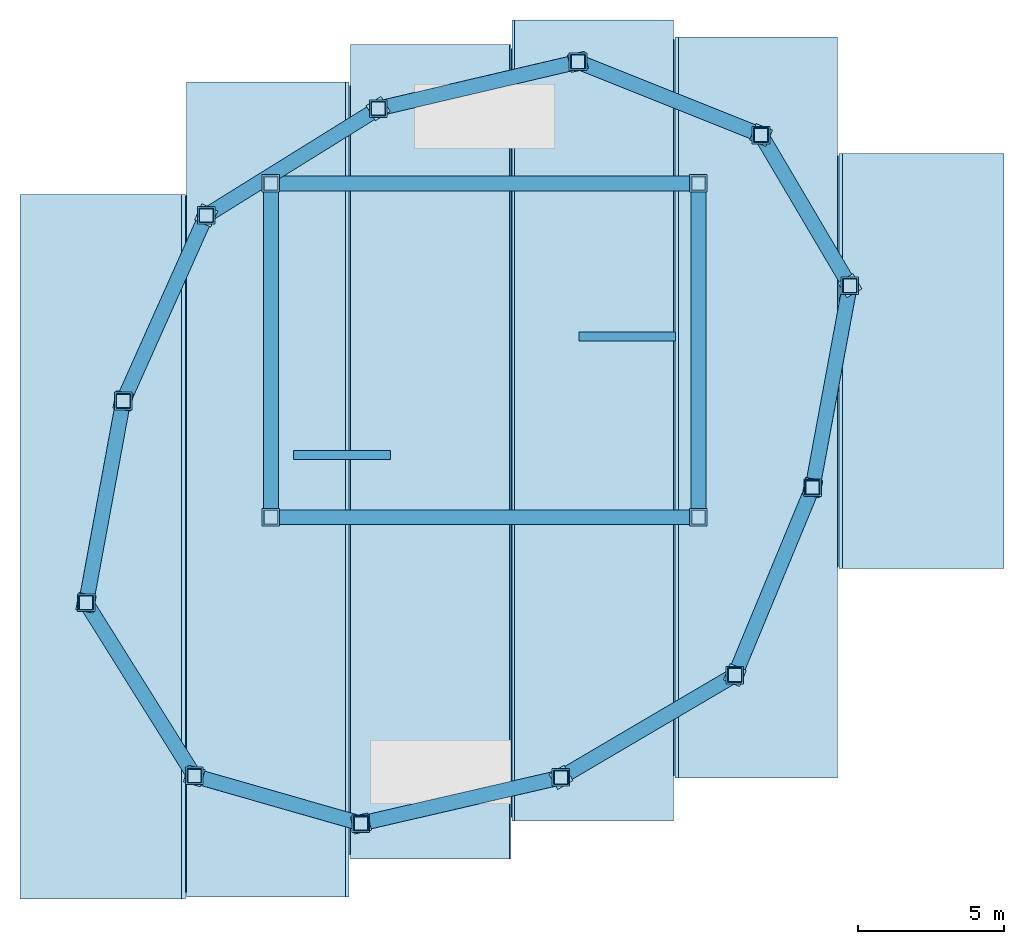
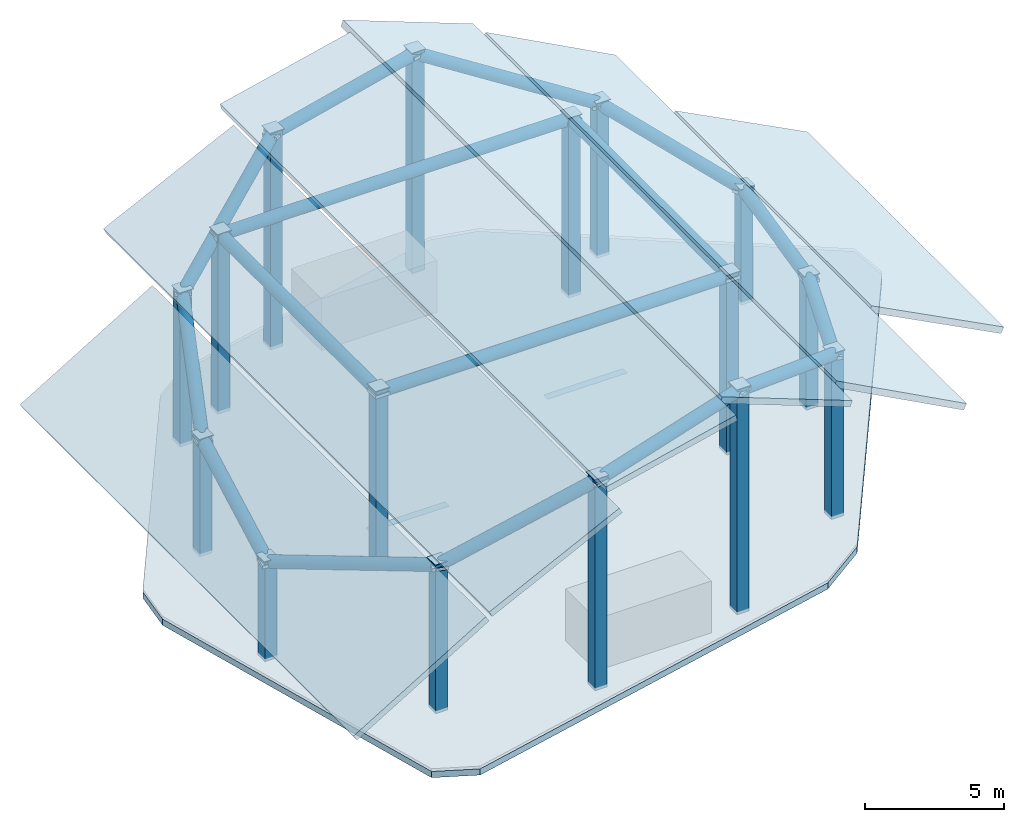
# One storey, part 1 of 3: 32 plates, 16 columns, 16 members, 7 slabs, 2 beams.
"""IFC4 building model written with IfcOpenShell, lengths in metres."""

from ifc_helpers import new_model, si_unit, direction, frame, origin, origin_2d, place, context, subcontext, project, spatial, polyline, rectangle, hollow_rectangle, hollow_circle, outline, extrude, source, transform, mapped, material, layer, layer_set, material_profile, profile_set, type_object, type_shapes, element, save


model = new_model("IFC4")

# Units and contexts
model_context = context("Model", 3, precision=1e-05, world=origin(), true_north=direction((0.0, 1.0)))
body_context = subcontext(model_context, "Body", "Model", "MODEL_VIEW")
ifc_project = project(units=[si_unit("LENGTHUNIT", "METRE"), si_unit("AREAUNIT", "SQUARE_METRE"), si_unit("VOLUMEUNIT", "CUBIC_METRE"), si_unit("PLANEANGLEUNIT", "RADIAN"), si_unit("MASSUNIT", "GRAM", prefix="KILO")], contexts=[model_context])

# Site, building, storey
site_placement = place(None, origin())
site = spatial("IfcSite", under=ifc_project, at=site_placement, CompositionType="ELEMENT")
building_placement = place(site_placement, origin())
building = spatial("IfcBuilding", under=site, at=building_placement, Name="Talar Marvaseh", CompositionType="ELEMENT")
storey_placement = place(building_placement, frame((0.0, 0.0, 316.0)))
storey = spatial("IfcBuildingStorey", under=building, at=storey_placement, Name="RF", CompositionType="ELEMENT", Elevation=316.0)

# Columns
ifc_material_1 = material(Name="Steel S460", Category="steel")
ifc_material_profile_1 = material_profile(ifc_material_1, hollow_rectangle(XDim=0.5, YDim=0.5, WallThickness=0.02490234375, at=origin_2d()), Name="BOX500x500x25")
ifc_profile_set_1 = profile_set([ifc_material_profile_1], Name="Steel S460")
column_type = type_object("IfcColumnType", Name="Crown Frame Structural Column BOX500x500x25", PredefinedType="COLUMN", material=ifc_profile_set_1)
column_1_placement = place(storey_placement, frame((12.388916015625, 22.576904296875, 0.0), z_axis=(0.0, 0.0, 1.0), x_axis=(1.0, 0.0, 0.0)))
element("IfcColumn", 1, at=column_1_placement, inside=storey, type_object=column_type, Name="RF Crown Frame Crest Post", PredefinedType="COLUMN", context=body_context, shape_type="SweptSolid", body=[
    extrude(hollow_rectangle(XDim=0.5, YDim=0.5, WallThickness=0.02490234375, at=origin_2d()), origin(), (0.0, 0.0, 1.0), 4.428955078125),
])
column_2_placement = place(storey_placement, frame((13.657958984375, 29.469970703125, 0.0), z_axis=(0.0, 0.0, 1.0), x_axis=(1.0, 0.0, 0.0)))
element("IfcColumn", 2, at=column_2_placement, inside=storey, type_object=column_type, Name="RF Crown Frame Crest Post", PredefinedType="COLUMN", context=body_context, shape_type="SweptSolid", body=[
    extrude(hollow_rectangle(XDim=0.5, YDim=0.5, WallThickness=0.02490234375, at=origin_2d()), origin(), (0.0, 0.0, 1.0), 5.193115234375),
])
column_3_placement = place(storey_placement, frame((16.493896484375, 35.806884765625, 0.0), z_axis=(0.0, 0.0, 1.0), x_axis=(1.0, 0.0, 0.0)))
element("IfcColumn", 3, at=column_3_placement, inside=storey, type_object=column_type, Name="RF Crown Frame Crest Post", PredefinedType="COLUMN", context=body_context, shape_type="SweptSolid", body=[
    extrude(hollow_rectangle(XDim=0.5, YDim=0.5, WallThickness=0.02490234375, at=origin_2d()), origin(), (0.0, 0.0, 1.0), 6.799072265625),
])
column_4_placement = place(storey_placement, frame((22.364990234375, 39.4541015625, 0.0), z_axis=(0.0, 0.0, 1.0), x_axis=(1.0, 0.0, 0.0)))
element("IfcColumn", 4, at=column_4_placement, inside=storey, type_object=column_type, Name="RF Crown Frame Crest Post", PredefinedType="COLUMN", context=body_context, shape_type="SweptSolid", body=[
    extrude(hollow_rectangle(XDim=0.5, YDim=0.5, WallThickness=0.02490234375, at=origin_2d()), origin(), (0.0, 0.0, 1.0), 9.56201171875),
])
column_5_placement = place(storey_placement, frame((29.18798828125, 41.052001953125, 0.0), z_axis=(0.0, 0.0, 1.0), x_axis=(1.0, 0.0, 0.0)))
element("IfcColumn", 5, at=column_5_placement, inside=storey, type_object=column_type, Name="RF Crown Frame Crest Post", PredefinedType="COLUMN", context=body_context, shape_type="SweptSolid", body=[
    extrude(hollow_rectangle(XDim=0.5, YDim=0.5, WallThickness=0.02490234375, at=origin_2d()), origin(), (0.0, 0.0, 1.0), 9.72998046875),
])
column_6_placement = place(storey_placement, frame((35.43798828125, 38.551025390625, 0.0), z_axis=(0.0, 0.0, 1.0), x_axis=(1.0, 0.0, 0.0)))
element("IfcColumn", 6, at=column_6_placement, inside=storey, type_object=column_type, Name="RF Crown Frame Crest Post", PredefinedType="COLUMN", context=body_context, shape_type="SweptSolid", body=[
    extrude(hollow_rectangle(XDim=0.5, YDim=0.5, WallThickness=0.02490234375, at=origin_2d()), origin(), (0.0, 0.0, 1.0), 6.8359375),
])
column_7_placement = place(storey_placement, frame((38.470947265625, 33.406005859375, 0.0), z_axis=(0.0, 0.0, 1.0), x_axis=(1.0, 0.0, 0.0)))
element("IfcColumn", 7, at=column_7_placement, inside=storey, type_object=column_type, Name="RF Crown Frame Crest Post", PredefinedType="COLUMN", context=body_context, shape_type="SweptSolid", body=[
    extrude(hollow_rectangle(XDim=0.5, YDim=0.5, WallThickness=0.02490234375, at=origin_2d()), origin(), (0.0, 0.0, 1.0), 5.115966796875),
])
column_8_placement = place(storey_placement, frame((37.197021484375, 26.513916015625, 0.0), z_axis=(0.0, 0.0, 1.0), x_axis=(1.0, 0.0, 0.0)))
element("IfcColumn", 8, at=column_8_placement, inside=storey, type_object=column_type, Name="RF Crown Frame Crest Post", PredefinedType="COLUMN", context=body_context, shape_type="SweptSolid", body=[
    extrude(hollow_rectangle(XDim=0.5, YDim=0.5, WallThickness=0.02490234375, at=origin_2d()), origin(), (0.0, 0.0, 1.0), 5.85888671875),
])
column_9_placement = place(storey_placement, frame((34.5439453125, 20.111083984375, 0.0), z_axis=(0.0, 0.0, 1.0), x_axis=(1.0, 0.0, 0.0)))
element("IfcColumn", 9, at=column_9_placement, inside=storey, type_object=column_type, Name="RF Crown Frame Crest Post", PredefinedType="COLUMN", context=body_context, shape_type="SweptSolid", body=[
    extrude(hollow_rectangle(XDim=0.5, YDim=0.5, WallThickness=0.02490234375, at=origin_2d()), origin(), (0.0, 0.0, 1.0), 7.30908203125),
])
column_10_placement = place(storey_placement, frame((28.60498046875, 16.616943359375, 0.0), z_axis=(0.0, 0.0, 1.0), x_axis=(1.0, 0.0, 0.0)))
element("IfcColumn", 10, at=column_10_placement, inside=storey, type_object=column_type, Name="RF Crown Frame Crest Post", PredefinedType="COLUMN", context=body_context, shape_type="SweptSolid", body=[
    extrude(hollow_rectangle(XDim=0.5, YDim=0.5, WallThickness=0.02490234375, at=origin_2d()), origin(), (0.0, 0.0, 1.0), 9.93798828125),
])
column_11_placement = place(storey_placement, frame((21.77587890625, 15.0400390625, 0.0), z_axis=(0.0, 0.0, 1.0), x_axis=(1.0, 0.0, 0.0)))
element("IfcColumn", 11, at=column_11_placement, inside=storey, type_object=column_type, Name="RF Crown Frame Crest Post", PredefinedType="COLUMN", context=body_context, shape_type="SweptSolid", body=[
    extrude(hollow_rectangle(XDim=0.5, YDim=0.5, WallThickness=0.02490234375, at=origin_2d()), origin(), (0.0, 0.0, 1.0), 9.327880859375),
])
column_12_placement = place(storey_placement, frame((16.0869140625, 16.66796875, 0.0), z_axis=(0.0, 0.0, 1.0), x_axis=(1.0, 0.0, 0.0)))
element("IfcColumn", 12, at=column_12_placement, inside=storey, type_object=column_type, Name="RF Crown Frame Crest Post", PredefinedType="COLUMN", context=body_context, shape_type="SweptSolid", body=[
    extrude(hollow_rectangle(XDim=0.5, YDim=0.5, WallThickness=0.02490234375, at=origin_2d()), origin(), (0.0, 0.0, 1.0), 6.577880859375),
])
for number, where, z_axis, x_axis, name in (
    (13, (18.699951171875, 25.5, 0.0), (0.0, 0.0, 1.0), (1.0, 0.0, 0.0), "RF Crown Frame Crest Post"),
    (14, (33.300048828125, 25.5, 0.0), (0.0, 0.0, 1.0), (1.0, 0.0, 0.0), "RF Crown Frame Crest Post"),
    (15, (33.300048828125, 36.89990234375, 0.0), (0.0, 0.0, 1.0), (1.0, 0.0, 0.0), "RF Crown Frame Crest Post"),
    (16, (18.699951171875, 36.89990234375, 0.0), (0.0, 0.0, 1.0), (1.0, 0.0, 0.0), "RF Crown Frame Crest Post"),
):
    element("IfcColumn", number, at=place(storey_placement, frame(where, z_axis=z_axis, x_axis=x_axis)), inside=storey, type_object=column_type, Name=name, PredefinedType="COLUMN", context=body_context, shape_type="SweptSolid", body=[
        extrude(hollow_rectangle(XDim=0.5, YDim=0.5, WallThickness=0.02490234375, at=origin_2d()), origin(), (0.0, 0.0, 1.0), 7.93896484375),
    ])

# Beams
ifc_material_2 = material(Name="Concrete C40/50", Category="concrete")
ifc_material_profile_2 = material_profile(ifc_material_2, rectangle(XDim=0.300048828125, YDim=0.360107421875, at=origin_2d()), Name="RC300x360")
ifc_profile_set_2 = profile_set([ifc_material_profile_2], Name="Concrete C40/50")
beam_type = type_object("IfcBeamType", Name="Concrete Stair Landing Trimmer Beam RC300x360", PredefinedType="SPANDREL", material=ifc_profile_set_2)
for number, where, z_axis, x_axis, name in (
    (17, (22.780029296875, 27.6298828125, -0.179931640625), (-1.0, 0.0, 0.0), (0.0, -1.0, 0.0), "RF ST-1 Stair Nosing Trimmer Beam"),
    (18, (29.219970703125, 31.669921875, -0.179931640625), (1.0, 0.0, 0.0), (0.0, 1.0, 0.0), "RF ST-2 Stair Nosing Trimmer Beam"),
):
    element("IfcBeam", number, at=place(storey_placement, frame(where, z_axis=z_axis, x_axis=x_axis)), inside=storey, type_object=beam_type, Name=name, PredefinedType="SPANDREL", context=body_context, shape_type="SweptSolid", body=[
        extrude(rectangle(XDim=0.300048828125, YDim=0.360107421875, at=origin_2d()), origin(), (0.0, 0.0, 1.0), 3.300048828125),
    ])

# Members
ifc_material_profile_3 = material_profile(ifc_material_1, hollow_circle(Radius=0.25390625, WallThickness=0.02001953125, at=origin_2d()), Name="CHS508x20")
ifc_profile_set_3 = profile_set([ifc_material_profile_3], Name="Steel S460")
member_type = type_object("IfcMemberType", Name="Crown Frame Diagonal Brace CHS508x20", PredefinedType="BRACE", material=ifc_profile_set_3)
shared_shape_1 = source(origin(), body_context, "Body", "SweptSolid", [
    extrude(hollow_circle(Radius=0.25390625, WallThickness=0.02001953125, at=origin_2d()), origin(), (0.0, 0.0, 1.0), 7.050537109375),
])
member_1_placement = place(storey_placement, frame((12.388916015625, 22.576904296875, 4.1689453125), z_axis=(0.179994732431, 0.977678198435, 0.108384669586), x_axis=(-0.983471801377, 0.18106135948, 0.0)))
element("IfcMember", 19, at=member_1_placement, inside=storey, type_object=member_type, Name="RF Crown Frame Crest Ring Chord 1", PredefinedType="BRACE", context=body_context, shape_type="MappedRepresentation", body=[
    mapped(shared_shape_1, transform((0.0, 0.0, 0.0), x_axis=(1.0, 0.0, 0.0), y_axis=(0.0, 1.0, 0.0), z_axis=(0.0, 0.0, 1.0), scale=1.0)),
])
shared_shape_2 = source(origin(), body_context, "Body", "SweptSolid", [
    extrude(hollow_circle(Radius=0.25390625, WallThickness=0.02001953125, at=origin_2d()), origin(), (0.0, 0.0, 1.0), 7.1259765625),
])
member_2_placement = place(storey_placement, frame((13.657958984375, 29.469970703125, 4.93310546875), z_axis=(0.397977344142, 0.889282020019, 0.22536974602), x_axis=(-0.912764429892, 0.408486346803, 0.0)))
element("IfcMember", 20, at=member_2_placement, inside=storey, type_object=member_type, Name="RF Crown Frame Crest Ring Chord 2", PredefinedType="BRACE", context=body_context, shape_type="MappedRepresentation", body=[
    mapped(shared_shape_2, transform((0.0, 0.0, 0.0), x_axis=(1.0, 0.0, 0.0), y_axis=(0.0, 1.0, 0.0), z_axis=(0.0, 0.0, 1.0), scale=1.0)),
])
shared_shape_3 = source(origin(), body_context, "Body", "SweptSolid", [
    extrude(hollow_circle(Radius=0.25390625, WallThickness=0.02001953125, at=origin_2d()), origin(), (0.0, 0.0, 1.0), 7.443603515625),
])
member_3_placement = place(storey_placement, frame((16.493896484375, 35.806884765625, 6.5390625), z_axis=(0.788753920924, 0.489986478073, 0.371187962537), x_axis=(-0.527685518407, 0.849439811678, 0.0)))
element("IfcMember", 21, at=member_3_placement, inside=storey, type_object=member_type, Name="RF Crown Frame Crest Ring Chord 3", PredefinedType="BRACE", context=body_context, shape_type="MappedRepresentation", body=[
    mapped(shared_shape_3, transform((0.0, 0.0, 0.0), x_axis=(1.0, 0.0, 0.0), y_axis=(0.0, 1.0, 0.0), z_axis=(0.0, 0.0, 1.0), scale=1.0)),
])
shared_shape_4 = source(origin(), body_context, "Body", "SweptSolid", [
    extrude(hollow_circle(Radius=0.25390625, WallThickness=0.02001953125, at=origin_2d()), origin(), (0.0, 0.0, 1.0), 7.009521484375),
])
member_4_placement = place(storey_placement, frame((22.364990234375, 39.4541015625, 9.302001953125), z_axis=(0.97337602266, 0.227958137486, 0.023962597187), x_axis=(-0.228023613157, 0.973655602276, 0.0)))
element("IfcMember", 22, at=member_4_placement, inside=storey, type_object=member_type, Name="RF Crown Frame Crest Ring Chord 4", PredefinedType="BRACE", context=body_context, shape_type="MappedRepresentation", body=[
    mapped(shared_shape_4, transform((0.0, 0.0, 0.0), x_axis=(1.0, 0.0, 0.0), y_axis=(0.0, 1.0, 0.0), z_axis=(0.0, 0.0, 1.0), scale=1.0)),
])
shared_shape_5 = source(origin(), body_context, "Body", "SweptSolid", [
    extrude(hollow_circle(Radius=0.25390625, WallThickness=0.02001953125, at=origin_2d()), origin(), (0.0, 0.0, 1.0), 7.32763671875),
])
member_5_placement = place(storey_placement, frame((29.18798828125, 41.052001953125, 9.469970703125), z_axis=(0.852946348382, -0.34131181222, -0.394954141161), x_axis=(0.371515730456, 0.928426659475, 0.0)))
element("IfcMember", 23, at=member_5_placement, inside=storey, type_object=member_type, Name="RF Crown Frame Crest Ring Chord 5", PredefinedType="BRACE", context=body_context, shape_type="MappedRepresentation", body=[
    mapped(shared_shape_5, transform((0.0, 0.0, 0.0), x_axis=(1.0, 0.0, 0.0), y_axis=(0.0, 1.0, 0.0), z_axis=(0.0, 0.0, 1.0), scale=1.0)),
])
shared_shape_6 = source(origin(), body_context, "Body", "SweptSolid", [
    extrude(hollow_circle(Radius=0.25390625, WallThickness=0.02001953125, at=origin_2d()), origin(), (0.0, 0.0, 1.0), 6.215087890625),
])
member_6_placement = place(storey_placement, frame((35.43798828125, 38.551025390625, 6.575927734375), z_axis=(0.487992752227, -0.827816087937, -0.276737417648), x_axis=(0.861459907696, 0.507825587611, 0.0)))
element("IfcMember", 24, at=member_6_placement, inside=storey, type_object=member_type, Name="RF Crown Frame Crest Ring Chord 6", PredefinedType="BRACE", context=body_context, shape_type="MappedRepresentation", body=[
    mapped(shared_shape_6, transform((0.0, 0.0, 0.0), x_axis=(1.0, 0.0, 0.0), y_axis=(0.0, 1.0, 0.0), z_axis=(0.0, 0.0, 1.0), scale=1.0)),
])
shared_shape_7 = source(origin(), body_context, "Body", "SweptSolid", [
    extrude(hollow_circle(Radius=0.25390625, WallThickness=0.02001953125, at=origin_2d()), origin(), (0.0, 0.0, 1.0), 7.048095703125),
])
member_7_placement = place(storey_placement, frame((38.470947265625, 33.406005859375, 4.85595703125), z_axis=(-0.180746734, -0.97786130717, 0.105441368014), x_axis=(0.983342931148, -0.181759950929, 0.0)))
element("IfcMember", 25, at=member_7_placement, inside=storey, type_object=member_type, Name="RF Crown Frame Crest Ring Chord 7", PredefinedType="BRACE", context=body_context, shape_type="MappedRepresentation", body=[
    mapped(shared_shape_7, transform((0.0, 0.0, 0.0), x_axis=(1.0, 0.0, 0.0), y_axis=(0.0, 1.0, 0.0), z_axis=(0.0, 0.0, 1.0), scale=1.0)),
])
shared_shape_8 = source(origin(), body_context, "Body", "SweptSolid", [
    extrude(hollow_circle(Radius=0.25390625, WallThickness=0.02001953125, at=origin_2d()), origin(), (0.0, 0.0, 1.0), 7.080810546875),
])
member_8_placement = place(storey_placement, frame((37.197021484375, 26.513916015625, 5.59912109375), z_axis=(-0.374687052876, -0.904255327941, 0.204772835836), x_axis=(0.923831762048, -0.382798740112, 0.0)))
element("IfcMember", 26, at=member_8_placement, inside=storey, type_object=member_type, Name="RF Crown Frame Crest Ring Chord 8", PredefinedType="BRACE", context=body_context, shape_type="MappedRepresentation", body=[
    mapped(shared_shape_8, transform((0.0, 0.0, 0.0), x_axis=(1.0, 0.0, 0.0), y_axis=(0.0, 1.0, 0.0), z_axis=(0.0, 0.0, 1.0), scale=1.0)),
])
shared_shape_9 = source(origin(), body_context, "Body", "SweptSolid", [
    extrude(hollow_circle(Radius=0.25390625, WallThickness=0.02001953125, at=origin_2d()), origin(), (0.0, 0.0, 1.0), 7.375),
])
member_9_placement = place(storey_placement, frame((34.5439453125, 20.111083984375, 7.049072265625), z_axis=(-0.805277111935, -0.473778098578, 0.35645909485), x_axis=(0.507088254482, -0.861894136287, 0.0)))
element("IfcMember", 27, at=member_9_placement, inside=storey, type_object=member_type, Name="RF Crown Frame Crest Ring Chord 9", PredefinedType="BRACE", context=body_context, shape_type="MappedRepresentation", body=[
    mapped(shared_shape_9, transform((0.0, 0.0, 0.0), x_axis=(1.0, 0.0, 0.0), y_axis=(0.0, 1.0, 0.0), z_axis=(0.0, 0.0, 1.0), scale=1.0)),
])
shared_shape_10 = source(origin(), body_context, "Body", "SweptSolid", [
    extrude(hollow_circle(Radius=0.25390625, WallThickness=0.02001953125, at=origin_2d()), origin(), (0.0, 0.0, 1.0), 7.035400390625),
])
member_10_placement = place(storey_placement, frame((28.60498046875, 16.616943359375, 9.677978515625), z_axis=(-0.970693407617, -0.224142310875, -0.086686405414), x_axis=(0.22498924952, -0.974361245946, 0.0)))
element("IfcMember", 28, at=member_10_placement, inside=storey, type_object=member_type, Name="RF Crown Frame Crest Ring Chord 10", PredefinedType="BRACE", context=body_context, shape_type="MappedRepresentation", body=[
    mapped(shared_shape_10, transform((0.0, 0.0, 0.0), x_axis=(1.0, 0.0, 0.0), y_axis=(0.0, 1.0, 0.0), z_axis=(0.0, 0.0, 1.0), scale=1.0)),
])
shared_shape_11 = source(origin(), body_context, "Body", "SweptSolid", [
    extrude(hollow_circle(Radius=0.25390625, WallThickness=0.02001953125, at=origin_2d()), origin(), (0.0, 0.0, 1.0), 6.525146484375),
])
member_11_placement = place(storey_placement, frame((21.77587890625, 15.0400390625, 9.068115234375), z_axis=(-0.871858173389, 0.249487181365, -0.421449251783), x_axis=(-0.275113452538, -0.961411768303, 0.0)))
element("IfcMember", 29, at=member_11_placement, inside=storey, type_object=member_type, Name="RF Crown Frame Crest Ring Chord 11", PredefinedType="BRACE", context=body_context, shape_type="MappedRepresentation", body=[
    mapped(shared_shape_11, transform((0.0, 0.0, 0.0), x_axis=(1.0, 0.0, 0.0), y_axis=(0.0, 1.0, 0.0), z_axis=(0.0, 0.0, 1.0), scale=1.0)),
])
shared_shape_12 = source(origin(), body_context, "Body", "SweptSolid", [
    extrude(hollow_circle(Radius=0.25390625, WallThickness=0.02001953125, at=origin_2d()), origin(), (0.0, 0.0, 1.0), 7.29443359375),
])
member_12_placement = place(storey_placement, frame((16.0869140625, 16.66796875, 6.318115234375), z_axis=(-0.506957457794, 0.810054225325, -0.294629068526), x_axis=(-0.847681364098, -0.530505706813, 0.0)))
element("IfcMember", 30, at=member_12_placement, inside=storey, type_object=member_type, Name="RF Crown Frame Crest Ring Chord 12", PredefinedType="BRACE", context=body_context, shape_type="MappedRepresentation", body=[
    mapped(shared_shape_12, transform((0.0, 0.0, 0.0), x_axis=(1.0, 0.0, 0.0), y_axis=(0.0, 1.0, 0.0), z_axis=(0.0, 0.0, 1.0), scale=1.0)),
])
shared_shape_13 = source(origin(), body_context, "Body", "SweptSolid", [
    extrude(hollow_circle(Radius=0.25390625, WallThickness=0.02001953125, at=origin_2d()), origin(), (0.0, 0.0, 1.0), 14.60009765625),
])
for number, where, z_axis, x_axis, name in (
    (31, (18.699951171875, 25.5, 7.678955078125), (1.0, 0.0, 0.0), (0.0, 1.0, 0.0), "RF Crown Frame Ridge Arch Member"),
    (32, (18.699951171875, 36.89990234375, 7.678955078125), (1.0, 0.0, 0.0), (0.0, 1.0, 0.0), "RF Crown Frame Ridge Arch Member"),
):
    element("IfcMember", number, at=place(storey_placement, frame(where, z_axis=z_axis, x_axis=x_axis)), inside=storey, type_object=member_type, Name=name, PredefinedType="BRACE", context=body_context, shape_type="MappedRepresentation", body=[
        mapped(shared_shape_13, transform((0.0, 0.0, 0.0), x_axis=(1.0, 0.0, 0.0), y_axis=(0.0, 1.0, 0.0), z_axis=(0.0, 0.0, 1.0), scale=1.0)),
    ])
shared_shape_14 = source(origin(), body_context, "Body", "SweptSolid", [
    extrude(hollow_circle(Radius=0.25390625, WallThickness=0.02001953125, at=origin_2d()), origin(), (0.0, 0.0, 1.0), 11.39990234375),
])
type_shapes(member_type, [shared_shape_1, shared_shape_2, shared_shape_3, shared_shape_4, shared_shape_5, shared_shape_6, shared_shape_7, shared_shape_8, shared_shape_9, shared_shape_10, shared_shape_11, shared_shape_12, shared_shape_13, shared_shape_14])
for number, where, z_axis, x_axis, name in (
    (33, (18.699951171875, 25.5, 7.678955078125), (0.0, 1.0, 0.0), (-1.0, 0.0, 0.0), "RF Crown Frame Ridge Arch Member"),
    (34, (33.300048828125, 25.5, 7.678955078125), (0.0, 1.0, 0.0), (-1.0, 0.0, 0.0), "RF Crown Frame Ridge Arch Member"),
):
    element("IfcMember", number, at=place(storey_placement, frame(where, z_axis=z_axis, x_axis=x_axis)), inside=storey, type_object=member_type, Name=name, PredefinedType="BRACE", context=body_context, shape_type="MappedRepresentation", body=[
        mapped(shared_shape_14, transform((0.0, 0.0, 0.0), x_axis=(1.0, 0.0, 0.0), y_axis=(0.0, 1.0, 0.0), z_axis=(0.0, 0.0, 1.0), scale=1.0)),
    ])

# Slabs
ifc_material_3 = material(Name="Precast concrete C45/55", Category="concrete")
ifc_layer_1 = layer(ifc_material_3, 0.27490234375)
ifc_layer_set_1 = layer_set([ifc_layer_1], Name="Precast concrete C45/55")
slab_type = type_object("IfcSlabType", Name="Arched Crown Crest Roof Slab 275", PredefinedType="ROOF", material=ifc_layer_set_1)
slab_1_placement = place(storey_placement, frame((0.0, 0.0, -0.27490234375)))
element("IfcSlab", 35, at=slab_1_placement, inside=storey, type_object=slab_type, Name="RF Crown Main Roof Cap Slab", PredefinedType="ROOF", context=body_context, shape_type="SweptSolid", body=[
    extrude(outline(polyline([(15.48974609375, 12.6123046875), (13.890869140625, 13.343505859375), (10.282470703125, 26.491943359375), (10.520751953125, 28.3330078125), (17.156494140625, 38.57763671875), (18.614990234375, 39.59912109375), (30.511474609375, 42.33056640625), (32.322998046875, 41.9248046875), (43.4443359375, 34.037109375), (43.584716796875, 32.28466796875), (34.244384765625, 17.906982421875), (32.194580078125, 16.4716796875), (15.48974609375, 12.6123046875)])), origin(), (0.0, 0.0, 1.0), 0.27490234375),
])
slab_2_placement = place(storey_placement, frame((10.133056640625, 12.4619140625, 3.408935546875), z_axis=(-0.51643620268, 0.0, 0.856325667349), x_axis=(0.856325667349, 0.0, 0.51643620268)))
element("IfcSlab", 36, at=slab_2_placement, inside=storey, type_object=slab_type, Name="RF Arched Persian Crest Roof Facet 1", PredefinedType="ROOF", context=body_context, shape_type="SweptSolid", body=[
    extrude(outline(polyline([(0.0, 0.0), (6.434479282491935, 0.0), (6.434479282491935, 24.05517578125), (0.0, 24.05517578125), (0.0, 0.0)])), origin(), (0.0, 0.0, -1.0), 0.27490234375),
])
slab_3_placement = place(storey_placement, frame((15.822998046875, 12.534912109375, 6.83203125), z_axis=(-0.442586661969, 0.0, 0.896725736581), x_axis=(0.896725736581, 0.0, 0.442586661969)))
element("IfcSlab", 37, at=slab_3_placement, inside=storey, type_object=slab_type, Name="RF Arched Persian Crest Roof Facet 2", PredefinedType="ROOF", context=body_context, shape_type="SweptSolid", body=[
    extrude(outline(polyline([(0.0, 0.0), (6.044124367015991, 0.0), (6.044124367015991, 27.821044921875), (0.0, 27.821044921875), (0.0, 0.0)])), origin(), (0.0, 0.0, -1.0), 0.27490234375),
])
slab_4_placement = place(storey_placement, frame((21.423095703125, 13.8291015625, 9.5830078125), z_axis=(-0.228438095546, 0.0, 0.97355844021), x_axis=(0.97355844021, 0.0, 0.228438095546)))
element("IfcSlab", 38, at=slab_4_placement, inside=storey, type_object=slab_type, Name="RF Arched Persian Crest Roof Facet 3", PredefinedType="ROOF", context=body_context, shape_type="SweptSolid", body=[
    extrude(outline(polyline([(0.0, 0.0), (5.568128438527404, 0.0), (5.568128438527404, 27.81298828125), (0.0, 27.81298828125), (0.0, 0.0)])), origin(), (0.0, 0.0, -1.0), 0.27490234375),
])
slab_5_placement = place(storey_placement, frame((27.02392578125, 15.123046875, 10.81201171875), z_axis=(0.355424509063, 0.0, 0.934704990014), x_axis=(0.934704990014, 0.0, -0.355424509063)))
element("IfcSlab", 39, at=slab_5_placement, inside=storey, type_object=slab_type, Name="RF Arched Persian Crest Roof Facet 4", PredefinedType="ROOF", context=body_context, shape_type="SweptSolid", body=[
    extrude(outline(polyline([(0.0, 0.0), (5.798798630081463, 0.0), (5.798798630081463, 27.35693359375), (0.0, 27.35693359375), (0.0, 0.0)])), origin(), (0.0, 0.0, -1.0), 0.27490234375),
])
slab_6_placement = place(storey_placement, frame((32.6240234375, 16.589111328125, 8.666015625), z_axis=(0.471515768869, 0.0, 0.881857630067), x_axis=(0.881857630067, 0.0, -0.471515768869)))
element("IfcSlab", 40, at=slab_6_placement, inside=storey, type_object=slab_type, Name="RF Arched Persian Crest Roof Facet 5", PredefinedType="ROOF", context=body_context, shape_type="SweptSolid", body=[
    extrude(outline(polyline([(0.0, 0.0), (6.1460282138595215, 0.0), (6.1460282138595215, 25.305908203124996), (0.0, 25.305908203124996), (0.0, 0.0)])), origin(), (0.0, 0.0, -1.0), 0.27490234375),
])
slab_7_placement = place(storey_placement, frame((38.22412109375, 23.757080078125, 5.662109375), z_axis=(0.460889707558, 0.0, 0.887457422904), x_axis=(0.887457422904, 0.0, -0.460889707558)))
element("IfcSlab", 41, at=slab_7_placement, inside=storey, type_object=slab_type, Name="RF Arched Persian Crest Roof Facet 6", PredefinedType="ROOF", context=body_context, shape_type="SweptSolid", body=[
    extrude(outline(polyline([(0.0, 0.0), (6.209859972878544, 0.0), (6.209859972878544, 14.166015625), (0.0, 14.166015625), (0.0, 0.0)])), origin(), (0.0, 0.0, -1.0), 0.27490234375),
])

# Plates
ifc_layer_2 = layer(ifc_material_1, 0.030029296875)
ifc_layer_set_2 = layer_set([ifc_layer_2], Name="Steel S460")
plate_type = type_object("IfcPlateType", Name="Heavy Box End Closure Cap Plate 30", PredefinedType="USERDEFINED", material=ifc_layer_set_2)
shared_shape_15 = source(origin(), body_context, "Body", "SweptSolid", [
    extrude(rectangle(XDim=0.60009765625, YDim=0.60009765625, at=origin_2d()), origin(), (0.0, 0.0, 1.0), 0.139892578125),
])
for number, where, z_axis, x_axis, name in (
    (42, (12.388916015625, 22.576904296875, 4.09912109375), (0.0, 0.0, 1.0), (0.180519145251, 0.983571470813, 0.0), "RF Hollow Member End Cap Plate"),
    (43, (13.657958984375, 29.469970703125, 4.86328125), (0.0, 0.0, 1.0), (0.180519145251, 0.983571470813, 0.0), "RF Hollow Member End Cap Plate"),
    (44, (16.493896484375, 35.806884765625, 6.46923828125), (0.0, 0.0, 1.0), (0.408330460381, 0.912834177233, 0.0), "RF Hollow Member End Cap Plate"),
    (45, (22.364990234375, 39.4541015625, 9.23193359375), (0.0, 0.0, 1.0), (0.849892692987, 0.526955795497, 0.0), "RF Hollow Member End Cap Plate"),
    (46, (29.18798828125, 41.052001953125, 9.39990234375), (0.0, 0.0, 1.0), (0.973578902873, 0.228350870111, 0.0), "RF Hollow Member End Cap Plate"),
    (47, (35.43798828125, 38.551025390625, 6.505859375), (0.0, 0.0, 1.0), (0.928485826881, -0.37136783555, 0.0), "RF Hollow Member End Cap Plate"),
    (48, (38.470947265625, 33.406005859375, 4.7861328125), (0.0, 0.0, 1.0), (0.507538362961, -0.861629160442, 0.0), "RF Hollow Member End Cap Plate"),
    (49, (37.197021484375, 26.513916015625, 5.529296875), (0.0, 0.0, 1.0), (-0.182235525492, -0.983254907564, 0.0), "RF Hollow Member End Cap Plate"),
    (50, (34.5439453125, 20.111083984375, 6.97900390625), (0.0, 0.0, 1.0), (-0.382683432365, -0.923879532511, 0.0), "RF Hollow Member End Cap Plate"),
    (51, (28.60498046875, 16.616943359375, 9.60791015625), (0.0, 0.0, 1.0), (-0.861629160442, -0.507538362961, 0.0), "RF Hollow Member End Cap Plate"),
    (52, (21.77587890625, 15.0400390625, 8.998046875), (0.0, 0.0, 1.0), (-0.974370064785, -0.224951054344, 0.0), "RF Hollow Member End Cap Plate"),
    (53, (16.0869140625, 16.66796875, 6.248046875), (0.0, 0.0, 1.0), (-0.961261695938, 0.275637355817, 0.0), "RF Hollow Member End Cap Plate"),
    (54, (18.699951171875, 25.5, 7.60888671875), (0.0, 0.0, 1.0), (1.0, 0.0, 0.0), "RF Hollow Member End Cap Plate"),
    (55, (33.300048828125, 25.5, 7.60888671875), (0.0, 0.0, 1.0), (1.0, 0.0, 0.0), "RF Hollow Member End Cap Plate"),
    (56, (18.699951171875, 36.89990234375, 7.60888671875), (0.0, 0.0, 1.0), (1.0, 0.0, 0.0), "RF Hollow Member End Cap Plate"),
    (57, (33.300048828125, 36.89990234375, 7.60888671875), (0.0, 0.0, 1.0), (1.0, 0.0, 0.0), "RF Hollow Member End Cap Plate"),
):
    element("IfcPlate", number, at=place(storey_placement, frame(where, z_axis=z_axis, x_axis=x_axis)), inside=storey, type_object=plate_type, Name=name, ObjectType="CAP_PLATE", PredefinedType="USERDEFINED", context=body_context, shape_type="MappedRepresentation", body=[
        mapped(shared_shape_15, transform((0.0, 0.0, 0.0), x_axis=(1.0, 0.0, 0.0), y_axis=(0.0, 1.0, 0.0), z_axis=(0.0, 0.0, 1.0), scale=1.0)),
    ])
shared_shape_16 = source(origin(), body_context, "Body", "SweptSolid", [
    extrude(rectangle(XDim=0.60009765625, YDim=0.60009765625, at=origin_2d()), origin(), (0.0, 0.0, 1.0), 0.030029296875),
])
type_shapes(plate_type, [shared_shape_15, shared_shape_16])
for number, where, z_axis, x_axis, name in (
    (58, (12.388916015625, 22.576904296875, 4.40380859375), (0.0, 0.0, 1.0), (1.0, 0.0, 0.0), "RF Crown Post Top Cap Plate"),
    (59, (13.657958984375, 29.469970703125, 5.16796875), (0.0, 0.0, 1.0), (1.0, 0.0, 0.0), "RF Crown Post Top Cap Plate"),
    (60, (16.493896484375, 35.806884765625, 6.77392578125), (0.0, 0.0, 1.0), (1.0, 0.0, 0.0), "RF Crown Post Top Cap Plate"),
    (61, (22.364990234375, 39.4541015625, 9.537109375), (0.0, 0.0, 1.0), (1.0, 0.0, 0.0), "RF Crown Post Top Cap Plate"),
    (62, (29.18798828125, 41.052001953125, 9.705078125), (0.0, 0.0, 1.0), (1.0, 0.0, 0.0), "RF Crown Post Top Cap Plate"),
    (63, (35.43798828125, 38.551025390625, 6.81103515625), (0.0, 0.0, 1.0), (1.0, 0.0, 0.0), "RF Crown Post Top Cap Plate"),
    (64, (38.470947265625, 33.406005859375, 5.0908203125), (0.0, 0.0, 1.0), (1.0, 0.0, 0.0), "RF Crown Post Top Cap Plate"),
    (65, (37.197021484375, 26.513916015625, 5.833984375), (0.0, 0.0, 1.0), (1.0, 0.0, 0.0), "RF Crown Post Top Cap Plate"),
    (66, (34.5439453125, 20.111083984375, 7.2841796875), (0.0, 0.0, 1.0), (1.0, 0.0, 0.0), "RF Crown Post Top Cap Plate"),
    (67, (28.60498046875, 16.616943359375, 9.9130859375), (0.0, 0.0, 1.0), (1.0, 0.0, 0.0), "RF Crown Post Top Cap Plate"),
    (68, (21.77587890625, 15.0400390625, 9.30322265625), (0.0, 0.0, 1.0), (1.0, 0.0, 0.0), "RF Crown Post Top Cap Plate"),
    (69, (16.0869140625, 16.66796875, 6.55322265625), (0.0, 0.0, 1.0), (1.0, 0.0, 0.0), "RF Crown Post Top Cap Plate"),
    (70, (18.699951171875, 25.5, 7.9140625), (0.0, 0.0, 1.0), (1.0, 0.0, 0.0), "RF Crown Post Top Cap Plate"),
    (71, (33.300048828125, 25.5, 7.9140625), (0.0, 0.0, 1.0), (1.0, 0.0, 0.0), "RF Crown Post Top Cap Plate"),
    (72, (33.300048828125, 36.89990234375, 7.9140625), (0.0, 0.0, 1.0), (1.0, 0.0, 0.0), "RF Crown Post Top Cap Plate"),
    (73, (18.699951171875, 36.89990234375, 7.9140625), (0.0, 0.0, 1.0), (1.0, 0.0, 0.0), "RF Crown Post Top Cap Plate"),
):
    element("IfcPlate", number, at=place(storey_placement, frame(where, z_axis=z_axis, x_axis=x_axis)), inside=storey, type_object=plate_type, Name=name, ObjectType="CAP_PLATE", PredefinedType="USERDEFINED", context=body_context, shape_type="MappedRepresentation", body=[
        mapped(shared_shape_16, transform((0.0, 0.0, 0.0), x_axis=(1.0, 0.0, 0.0), y_axis=(0.0, 1.0, 0.0), z_axis=(0.0, 0.0, 1.0), scale=1.0)),
    ])

save(model, "model.ifc")
